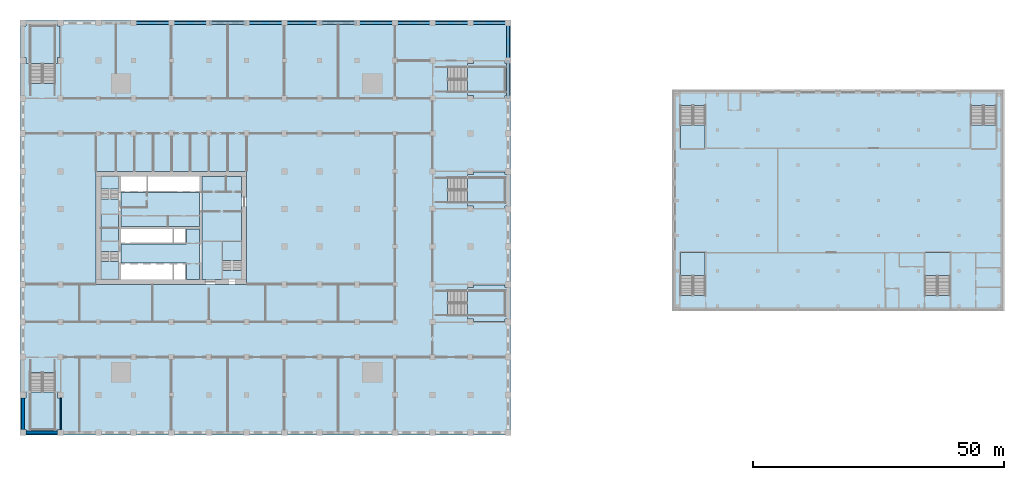
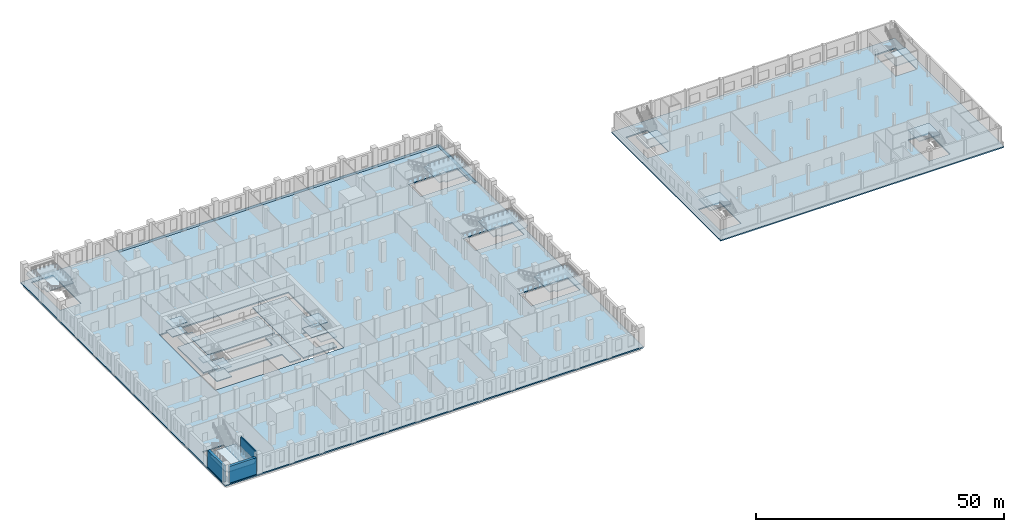
# One storey, part 2 of 32: 24 slabs, 12 beams, 3 walls, 12 elements without a shape of their own.
"""IFC4 building model written with IfcOpenShell, lengths in metres."""

import ifcopenshell
import ifcopenshell.guid

model = None  # the IFC model being written
_history = None  # IfcOwnerHistory: only IFC2X3 demands one
_inside = {}  # id of a spatial element -> (the spatial element, [elements in it])
_under = {}  # id of a project, library or spatial element -> (it, [spatial elements below it])
_declared = {}  # id of a project -> (the project, [libraries it declares])
_typed = {}  # id of a type object -> (the type object, [elements of that type])
_made_of = {}  # id of a material, layer set ... -> (it, [elements and type objects made of it])


def new_model(schema):
    """Start an empty IFC model of exactly this schema.

    Asked for "IFC4X3", IfcOpenShell would pick the latest addendum, in which some entities
    have other attributes; the version numbers below select the first issue.
    IFC2X3 requires an IfcOwnerHistory on every rooted entity: one is made here for all.
    """
    global model, _history
    if schema == "IFC4X3":
        model = ifcopenshell.file(schema_version=(4, 3, 0, 0))
    else:
        model = ifcopenshell.file(schema=schema)
    _inside.clear()
    _under.clear()
    _declared.clear()
    _typed.clear()
    _made_of.clear()
    _history = None
    if model.schema == "IFC2X3":
        org = make("IfcOrganization", Name="unknown")
        user = make(
            "IfcPersonAndOrganization",
            ThePerson=make("IfcPerson", FamilyName="unknown"),
            TheOrganization=org,
        )
        app = make(
            "IfcApplication",
            ApplicationDeveloper=org,
            Version="unknown",
            ApplicationFullName="unknown",
            ApplicationIdentifier="unknown",
        )
        _history = make(
            "IfcOwnerHistory",
            OwningUser=user,
            OwningApplication=app,
            ChangeAction="ADDED",
            CreationDate=0,
        )
    return model


def make(cls, **values):
    """One entity of the class cls with the attributes given. An attribute that is None is left unset."""
    return model.create_entity(
        cls, **{name: value for name, value in values.items() if value is not None}
    )


def rooted(cls, **values):
    """An entity with a GlobalId (a new one), such as an element, a storey or a relation."""
    return make(cls, GlobalId=ifcopenshell.guid.new(), OwnerHistory=_history, **values)


def si_unit(unit_type, name, prefix=None):
    """IfcSIUnit, for example si_unit("LENGTHUNIT", "METRE", prefix="MILLI")."""
    return make("IfcSIUnit", UnitType=unit_type, Prefix=prefix, Name=name)


def assignment(units):
    """IfcUnitAssignment: the units of a project."""
    return None if units is None else make("IfcUnitAssignment", Units=units)


def point(xyz):
    """IfcCartesianPoint."""
    return None if xyz is None else make("IfcCartesianPoint", Coordinates=xyz)


def direction(xyz):
    """IfcDirection."""
    return None if xyz is None else make("IfcDirection", DirectionRatios=xyz)


def frame(location, z_axis=None, x_axis=None):
    """IfcAxis2Placement3D, a coordinate frame: its origin and axes. An axis left out is left unset."""
    return make(
        "IfcAxis2Placement3D",
        Location=point(location),
        Axis=direction(z_axis),
        RefDirection=direction(x_axis),
    )


def frame_2d(location, x_axis=None):
    """IfcAxis2Placement2D, a coordinate frame in the plane: its origin and x axis."""
    return make(
        "IfcAxis2Placement2D", Location=point(location), RefDirection=direction(x_axis)
    )


def origin():
    """The frame at (0, 0, 0) with its axes left unset."""
    return frame((0.0, 0.0, 0.0))


def origin_2d():
    """The frame at (0, 0) in the plane with its x axis left unset."""
    return frame_2d((0.0, 0.0))


def place(relative_to, where):
    """IfcLocalPlacement: puts the frame where relative to a parent placement (None: the world)."""
    return make(
        "IfcLocalPlacement", PlacementRelTo=relative_to, RelativePlacement=where
    )


def context(
    kind, dimensions, precision=None, world=None, true_north=None, identifier=None
):
    """IfcGeometricRepresentationContext, for example the 3D "Model" context."""
    return make(
        "IfcGeometricRepresentationContext",
        ContextIdentifier=identifier,
        ContextType=kind,
        CoordinateSpaceDimension=dimensions,
        Precision=precision,
        WorldCoordinateSystem=world,
        TrueNorth=true_north,
    )


def subcontext(parent, identifier, kind, view, scale=None):
    """IfcGeometricRepresentationSubContext, for example "Body" below "Model"."""
    return make(
        "IfcGeometricRepresentationSubContext",
        ContextIdentifier=identifier,
        ContextType=kind,
        ParentContext=parent,
        TargetScale=scale,
        TargetView=view,
    )


def project(units=None, contexts=None):
    """IfcProject with its units and contexts."""
    return rooted(
        "IfcProject",
        Name="project",
        RepresentationContexts=contexts,
        UnitsInContext=assignment(units),
    )


def spatial(cls, under=None, at=None, **own):
    """A site, building, storey or space (cls), placed at a placement, below another one or the project."""
    s = rooted(cls, ObjectPlacement=at, **own)
    if under is not None:
        _under.setdefault(under.id(), (under, []))[1].append(s)
    return s


def polyline(points):
    """IfcPolyline through the points."""
    return make("IfcPolyline", Points=[point(p) for p in points])


def profile(cls, at=None, kind="AREA", **sizes):
    """A parametric profile (cls). Its sizes go by their IFC names, for example OverallWidth=200.0."""
    return make(cls, ProfileType=kind, Position=at, **sizes)


def rectangle(**sizes):
    """IfcRectangleProfileDef."""
    return profile("IfcRectangleProfileDef", **sizes)


def outline(outer, holes=None, kind="AREA"):
    """IfcArbitraryClosedProfileDef: a profile drawn as a closed curve; with holes, ...WithVoids."""
    if holes is None:
        return make("IfcArbitraryClosedProfileDef", ProfileType=kind, OuterCurve=outer)
    return make(
        "IfcArbitraryProfileDefWithVoids",
        ProfileType=kind,
        OuterCurve=outer,
        InnerCurves=holes,
    )


def extrude(swept, where, along, depth):
    """IfcExtrudedAreaSolid: the profile swept, set in the frame where, extruded along a direction by depth."""
    return make(
        "IfcExtrudedAreaSolid",
        SweptArea=swept,
        Position=where,
        ExtrudedDirection=direction(along),
        Depth=depth,
    )


def shape(context_of_items, identifier, shape_type, items):
    """IfcShapeRepresentation: the items that make up one representation, for example the "Body"."""
    return make(
        "IfcShapeRepresentation",
        ContextOfItems=context_of_items,
        RepresentationIdentifier=identifier,
        RepresentationType=shape_type,
        Items=items,
    )


def material(Name=None, Category=None):
    """IfcMaterial."""
    return make("IfcMaterial", Name=Name, Category=Category)


def layer(
    of_material, thickness, ventilated=None, Name=None, Category=None, Priority=None
):
    """IfcMaterialLayer: one layer of a wall or slab, of a material (None: an air gap)."""
    return make(
        "IfcMaterialLayer",
        Material=of_material,
        LayerThickness=thickness,
        IsVentilated=ventilated,
        Name=Name,
        Category=Category,
        Priority=Priority,
    )


def layer_set(layers, Name=None):
    """IfcMaterialLayerSet."""
    return make("IfcMaterialLayerSet", MaterialLayers=layers, LayerSetName=Name)


def material_profile(
    of_material, cross_section, Name=None, Category=None, Priority=None
):
    """IfcMaterialProfile: a cross section and its material."""
    return make(
        "IfcMaterialProfile",
        Name=Name,
        Material=of_material,
        Profile=cross_section,
        Priority=Priority,
        Category=Category,
    )


def profile_set(profiles, Name=None, composite=None):
    """IfcMaterialProfileSet."""
    return make(
        "IfcMaterialProfileSet",
        Name=Name,
        MaterialProfiles=profiles,
        CompositeProfile=composite,
    )


def made_of(thing, what):
    """Note that an element or type object is made of a material, layer set ...; save() writes the relation."""
    if what is not None:
        _made_of.setdefault(what.id(), (what, []))[1].append(thing)
    return thing


def type_object(cls, material=None, **own):
    """A type object (cls), such as IfcWallType, which elements share."""
    return made_of(rooted(cls, **own), material)


def element(
    cls,
    number,
    at=None,
    inside=None,
    cuts=None,
    type_object=None,
    material=None,
    context=None,
    identifier="Body",
    shape_type=None,
    held_by="IfcProductDefinitionShape",
    body=None,
    shapes=None,
    **own,
):
    """One element of the class cls, such as IfcWall. Its Tag is "e" and its number.

    at: its placement. inside: the storey or other place that contains it. cuts: it is an
    opening in that element (IfcRelVoidsElement). A single representation is given by context,
    identifier, shape_type and body (its items); several are given by shapes. held_by: the class
    of the entity that holds the representations. save() writes the other relations.
    """
    e = rooted(cls, Tag="e%d" % number, ObjectPlacement=at, **own)
    if body is not None:
        shapes = [shape(context, identifier, shape_type, body)]
    if shapes is not None:
        e.Representation = make(held_by, Representations=shapes)
    if inside is not None:
        _inside.setdefault(inside.id(), (inside, []))[1].append(e)
    if cuts is not None:
        rooted(
            "IfcRelVoidsElement", RelatingBuildingElement=cuts, RelatedOpeningElement=e
        )
    if type_object is not None:
        _typed.setdefault(type_object.id(), (type_object, []))[1].append(e)
    return made_of(e, material)


def aggregate(whole, parts):
    """IfcRelAggregates: a whole, such as a stair, and the parts it consists of."""
    return rooted("IfcRelAggregates", RelatingObject=whole, RelatedObjects=parts)


def save(model, path):
    """Write the relations noted so far, then the file.

    IfcRelAggregates (storeys below a building ...), IfcRelContainedInSpatialStructure (elements
    in a storey), IfcRelDefinesByType, IfcRelAssociatesMaterial and IfcRelDeclares: one each for
    every whole, place, type object, material and project.
    """
    for whole, parts in _under.values():
        aggregate(whole, parts)
    for where, things in _inside.values():
        rooted(
            "IfcRelContainedInSpatialStructure",
            RelatedElements=things,
            RelatingStructure=where,
        )
    for kind, things in _typed.values():
        rooted("IfcRelDefinesByType", RelatedObjects=things, RelatingType=kind)
    for what, things in _made_of.values():
        rooted("IfcRelAssociatesMaterial", RelatedObjects=things, RelatingMaterial=what)
    for by, libraries in _declared.values():
        rooted("IfcRelDeclares", RelatingContext=by, RelatedDefinitions=libraries)
    model.write(path)


model = new_model("IFC4")

# Units and contexts
model_context = context("Model", 3, precision=1e-05, world=origin(), true_north=direction((0.0, 1.0)))
body_context = subcontext(model_context, "Body", "Model", "MODEL_VIEW")
ifc_project = project(units=[si_unit("LENGTHUNIT", "METRE"), si_unit("AREAUNIT", "SQUARE_METRE"), si_unit("VOLUMEUNIT", "CUBIC_METRE"), si_unit("PLANEANGLEUNIT", "RADIAN"), si_unit("MASSUNIT", "GRAM", prefix="KILO")], contexts=[model_context])

# Site, building, storey
site_placement = place(None, origin())
site = spatial("IfcSite", under=ifc_project, at=site_placement, CompositionType="ELEMENT")
building_placement = place(site_placement, origin())
building = spatial("IfcBuilding", under=site, at=building_placement, Name="Tamorin Gate", CompositionType="ELEMENT")
storey_placement = place(building_placement, frame((0.0, 0.0, 18.5)))
storey = spatial("IfcBuildingStorey", under=building, at=storey_placement, Name="L03", CompositionType="ELEMENT", Elevation=18.5)

# Beams
ifc_material_1 = material(Name="Concrete C50/60", Category="concrete")
ifc_material_profile = material_profile(ifc_material_1, rectangle(XDim=0.60009765625, YDim=0.89990234375, at=origin_2d()), Name="RC 600x900")
ifc_profile_set = profile_set([ifc_material_profile], Name="Concrete C50/60")
beam_type = type_object("IfcBeamType", Name="RC spandrel 600x900 C50/60", PredefinedType="BEAM", material=ifc_profile_set)
for number, where, z_axis, x_axis, name in (
    (1, (112.0, 97.0, -0.449951171875), (0.0, 1.0, 0.0), (-1.0, 0.0, 0.0), "Spandrel beam L03"),
    (2, (112.0, 104.5, -0.449951171875), (0.0, 1.0, 0.0), (-1.0, 0.0, 0.0), "Spandrel beam L03"),
    (3, (112.0, 112.0, -0.449951171875), (-1.0, 0.0, 0.0), (0.0, -1.0, 0.0), "Spandrel beam L03"),
    (4, (104.5, 112.0, -0.449951171875), (-1.0, 0.0, 0.0), (0.0, -1.0, 0.0), "Spandrel beam L03"),
    (5, (97.0, 112.0, -0.449951171875), (-1.0, 0.0, 0.0), (0.0, -1.0, 0.0), "Spandrel beam L03"),
    (6, (89.5, 112.0, -0.449951171875), (-1.0, 0.0, 0.0), (0.0, -1.0, 0.0), "Spandrel beam L03"),
    (7, (82.0, 112.0, -0.449951171875), (-1.0, 0.0, 0.0), (0.0, -1.0, 0.0), "Spandrel beam L03"),
):
    element("IfcBeam", number, at=place(storey_placement, frame(where, z_axis=z_axis, x_axis=x_axis)), inside=storey, type_object=beam_type, Name=name, PredefinedType="BEAM", context=body_context, shape_type="SweptSolid", body=[
        extrude(rectangle(XDim=0.60009765625, YDim=0.89990234375, at=origin_2d()), origin(), (0.0, 0.0, 1.0), 7.5),
    ])
beam_placement = place(storey_placement, frame((74.5, 112.0, -0.449951171875), z_axis=(-1.0, 0.0, 0.0), x_axis=(0.0, -1.0, 0.0)))
element("IfcBeam", 8, at=beam_placement, inside=storey, type_object=beam_type, Name="Spandrel beam L03", PredefinedType="BEAM", context=body_context, shape_type="SweptSolid", body=[
    extrude(rectangle(XDim=0.60009765625, YDim=0.89990234375, at=origin_2d()), origin(), (0.0, 0.0, 1.0), 7.0),
])
for number, where, z_axis, x_axis, name in (
    (9, (67.5, 112.0, -0.449951171875), (-1.0, 0.0, 0.0), (0.0, -1.0, 0.0), "Spandrel beam L03"),
    (10, (60.0, 112.0, -0.449951171875), (-1.0, 0.0, 0.0), (0.0, -1.0, 0.0), "Spandrel beam L03"),
    (11, (52.5, 112.0, -0.449951171875), (-1.0, 0.0, 0.0), (0.0, -1.0, 0.0), "Spandrel beam L03"),
    (12, (45.0, 112.0, -0.449951171875), (-1.0, 0.0, 0.0), (0.0, -1.0, 0.0), "Spandrel beam L03"),
):
    element("IfcBeam", number, at=place(storey_placement, frame(where, z_axis=z_axis, x_axis=x_axis)), inside=storey, type_object=beam_type, Name=name, PredefinedType="BEAM", context=body_context, shape_type="SweptSolid", body=[
        extrude(rectangle(XDim=0.60009765625, YDim=0.89990234375, at=origin_2d()), origin(), (0.0, 0.0, 1.0), 7.5),
    ])

# Slabs
ifc_material_2 = material(Name="Concrete C40/50", Category="concrete")
ifc_layer_1 = layer(ifc_material_2, 0.300048828125)
ifc_layer_set_1 = layer_set([ifc_layer_1], Name="Core floor slab 300 C40/50")
slab_type_1 = type_object("IfcSlabType", Name="Core floor slab 300 C40/50", PredefinedType="FLOOR", material=ifc_layer_set_1)
slab_1_placement = place(storey_placement, frame((0.0, 0.0, -0.300048828125)))
element("IfcSlab", 13, at=slab_1_placement, inside=storey, type_object=slab_type_1, Name="Core floor L03", PredefinedType="FLOOR", context=body_context, shape_type="SweptSolid", body=[
    extrude(outline(polyline([(59.0, 62.800048828125), (59.0, 61.0), (51.10009765625, 61.0), (51.10009765625, 81.5), (59.0, 81.5), (59.0, 68.5), (55.199951171875, 68.5), (55.199951171875, 62.800048828125), (59.0, 62.800048828125)])), origin(), (0.0, 0.0, 1.0), 0.300048828125),
])
slab_2_placement = place(storey_placement, frame((0.0, 0.0, -0.300048828125)))
element("IfcSlab", 14, at=slab_2_placement, inside=storey, type_object=slab_type_1, Name="Core floor L03", PredefinedType="FLOOR", context=body_context, shape_type="SweptSolid", body=[
    extrude(outline(polyline([(50.60009765625, 61.0), (48.0, 61.0), (48.0, 64.199951171875), (35.0, 64.199951171875), (35.0, 68.050048828125), (48.0, 68.050048828125), (48.0, 71.0), (50.60009765625, 71.0), (50.60009765625, 61.0)])), origin(), (0.0, 0.0, 1.0), 0.300048828125),
])
slab_3_placement = place(storey_placement, frame((0.0, 0.0, -0.300048828125)))
element("IfcSlab", 15, at=slab_3_placement, inside=storey, type_object=slab_type_1, Name="Core floor L03", PredefinedType="FLOOR", context=body_context, shape_type="SweptSolid", body=[
    extrude(outline(polyline([(50.60009765625, 71.5), (35.0, 71.5), (35.0, 78.300048828125), (50.60009765625, 78.300048828125), (50.60009765625, 71.5)])), origin(), (0.0, 0.0, 1.0), 0.300048828125),
])
slab_4_placement = place(storey_placement, frame((0.0, 0.0, -0.300048828125)))
element("IfcSlab", 16, at=slab_4_placement, inside=storey, type_object=slab_type_1, Name="Core floor L03", PredefinedType="FLOOR", context=body_context, shape_type="SweptSolid", body=[
    extrude(outline(polyline([(31.0, 66.5), (31.0, 77.0), (34.5, 77.0), (34.5, 66.5), (31.0, 66.5)])), origin(), (0.0, 0.0, 1.0), 0.300048828125),
])

# Stair, slabs
stair_type_1 = type_object("IfcStairType", Name="Exit stair", PredefinedType="HALF_TURN_STAIR", material=ifc_material_2)
stair_1_placement = place(storey_placement, origin())
stair_1 = element("IfcStair", 17, at=stair_1_placement, inside=storey, type_object=stair_type_1, Name="L03 stair ST1", PredefinedType="HALF_TURN_STAIR")
ifc_layer_2 = layer(ifc_material_2, 0.199951171875)
ifc_layer_set_2 = layer_set([ifc_layer_2], Name="Exit stair landing 200")
slab_type_2 = type_object("IfcSlabType", Name="Exit stair landing 200", PredefinedType="LANDING", material=ifc_layer_set_2)
slab_5_placement = place(storey_placement, frame((0.0, 0.0, 1.050048828125)))
slab_5 = element("IfcSlab", 18, at=slab_5_placement, type_object=slab_type_2, Name="ST1 landing 1", PredefinedType="LANDING", context=body_context, shape_type="SweptSolid", body=[
    extrude(outline(polyline([(31.0, 64.5400390625), (31.0, 61.0), (34.5, 61.0), (34.5, 64.5400390625), (31.0, 64.5400390625)])), origin(), (0.0, 0.0, 1.0), 0.199951171875),
])
slab_6_placement = place(storey_placement, frame((0.0, 0.0, 2.300048828125)))
slab_6 = element("IfcSlab", 19, at=slab_6_placement, type_object=slab_type_2, Name="ST1 landing 2", PredefinedType="LANDING", context=body_context, shape_type="SweptSolid", body=[
    extrude(outline(polyline([(31.0, 68.5), (31.0, 66.5), (34.5, 66.5), (34.5, 68.5), (31.0, 68.5)])), origin(), (0.0, 0.0, 1.0), 0.199951171875),
])
slab_7_placement = place(storey_placement, frame((0.0, 0.0, 3.550048828125)))
slab_7 = element("IfcSlab", 20, at=slab_7_placement, type_object=slab_type_2, Name="ST1 landing 3", PredefinedType="LANDING", context=body_context, shape_type="SweptSolid", body=[
    extrude(outline(polyline([(31.0, 64.5400390625), (31.0, 61.0), (34.5, 61.0), (34.5, 64.5400390625), (31.0, 64.5400390625)])), origin(), (0.0, 0.0, 1.0), 0.199951171875),
])
aggregate(stair_1, [slab_5, slab_6, slab_7])

stair_2_placement = place(storey_placement, origin())
stair_2 = element("IfcStair", 21, at=stair_2_placement, inside=storey, type_object=stair_type_1, Name="L03 stair ST2", PredefinedType="HALF_TURN_STAIR")
slab_8_placement = place(storey_placement, frame((0.0, 0.0, 1.050048828125)))
slab_8 = element("IfcSlab", 22, at=slab_8_placement, type_object=slab_type_2, Name="ST2 landing 1", PredefinedType="LANDING", context=body_context, shape_type="SweptSolid", body=[
    extrude(outline(polyline([(34.5, 78.9599609375), (34.5, 81.5), (31.0, 81.5), (31.0, 78.9599609375), (34.5, 78.9599609375)])), origin(), (0.0, 0.0, 1.0), 0.199951171875),
])
slab_9_placement = place(storey_placement, frame((0.0, 0.0, 2.300048828125)))
slab_9 = element("IfcSlab", 23, at=slab_9_placement, type_object=slab_type_2, Name="ST2 landing 2", PredefinedType="LANDING", context=body_context, shape_type="SweptSolid", body=[
    extrude(outline(polyline([(34.5, 74.0), (34.5, 77.0), (31.0, 77.0), (31.0, 74.0), (34.5, 74.0)])), origin(), (0.0, 0.0, 1.0), 0.199951171875),
])
slab_10_placement = place(storey_placement, frame((0.0, 0.0, 3.550048828125)))
slab_10 = element("IfcSlab", 24, at=slab_10_placement, type_object=slab_type_2, Name="ST2 landing 3", PredefinedType="LANDING", context=body_context, shape_type="SweptSolid", body=[
    extrude(outline(polyline([(34.5, 78.9599609375), (34.5, 81.5), (31.0, 81.5), (31.0, 78.9599609375), (34.5, 78.9599609375)])), origin(), (0.0, 0.0, 1.0), 0.199951171875),
])
aggregate(stair_2, [slab_8, slab_9, slab_10])

stair_3_placement = place(storey_placement, origin())
stair_3 = element("IfcStair", 25, at=stair_3_placement, inside=storey, type_object=stair_type_1, Name="L03 stair ST3", PredefinedType="HALF_TURN_STAIR")
slab_11_placement = place(storey_placement, frame((0.0, 0.0, 1.050048828125)))
slab_11 = element("IfcSlab", 26, at=slab_11_placement, type_object=slab_type_2, Name="ST3 landing 1", PredefinedType="LANDING", context=body_context, shape_type="SweptSolid", body=[
    extrude(outline(polyline([(59.0, 64.760009765625), (59.0, 68.5), (55.199951171875, 68.5), (55.199951171875, 64.760009765625), (59.0, 64.760009765625)])), origin(), (0.0, 0.0, 1.0), 0.199951171875),
])
slab_12_placement = place(storey_placement, frame((0.0, 0.0, 2.300048828125)))
slab_12 = element("IfcSlab", 27, at=slab_12_placement, type_object=slab_type_2, Name="ST3 landing 2", PredefinedType="LANDING", context=body_context, shape_type="SweptSolid", body=[
    extrude(outline(polyline([(59.0, 61.0), (59.0, 62.800048828125), (55.199951171875, 62.800048828125), (55.199951171875, 61.0), (59.0, 61.0)])), origin(), (0.0, 0.0, 1.0), 0.199951171875),
])
slab_13_placement = place(storey_placement, frame((0.0, 0.0, 3.550048828125)))
slab_13 = element("IfcSlab", 28, at=slab_13_placement, type_object=slab_type_2, Name="ST3 landing 3", PredefinedType="LANDING", context=body_context, shape_type="SweptSolid", body=[
    extrude(outline(polyline([(59.0, 64.760009765625), (59.0, 68.5), (55.199951171875, 68.5), (55.199951171875, 64.760009765625), (59.0, 64.760009765625)])), origin(), (0.0, 0.0, 1.0), 0.199951171875),
])
aggregate(stair_3, [slab_11, slab_12, slab_13])

# Slab
ifc_layer_3 = layer(ifc_material_2, 0.300048828125)
ifc_layer_set_3 = layer_set([ifc_layer_3], Name="Museum floor slab 300 C40/50")
slab_type_3 = type_object("IfcSlabType", Name="Museum floor slab 300 C40/50", PredefinedType="FLOOR", material=ifc_layer_set_3)
slab_14_placement = place(storey_placement, frame((0.0, 0.0, -0.300048828125)))
element("IfcSlab", 29, at=slab_14_placement, inside=storey, type_object=slab_type_3, Name="Museum floor slab", PredefinedType="FLOOR", context=body_context, shape_type="SweptSolid", body=[
    extrude(outline(polyline([(144.699951171875, 54.699951171875), (144.699951171875, 98.699951171875), (210.699951171875, 98.699951171875), (210.699951171875, 54.699951171875), (144.699951171875, 54.699951171875)]), holes=[polyline([(146.300537109375, 57.800537109375), (151.24951171875, 57.800537109375), (151.24951171875, 66.359375), (146.300537109375, 66.359375), (146.300537109375, 57.800537109375)]), polyline([(195.00048828125, 57.800537109375), (199.949462890625, 57.800537109375), (199.949462890625, 66.359375), (195.00048828125, 66.359375), (195.00048828125, 57.800537109375)]), polyline([(151.24951171875, 95.599365234375), (146.300537109375, 95.599365234375), (146.300537109375, 87.04052734375), (151.24951171875, 87.04052734375), (151.24951171875, 95.599365234375)]), polyline([(209.099365234375, 95.599365234375), (204.150634765625, 95.599365234375), (204.150634765625, 87.04052734375), (209.099365234375, 87.04052734375), (209.099365234375, 95.599365234375)])]), origin(), (0.0, 0.0, 1.0), 0.300048828125),
])

# Stair, slab
stair_type_2 = type_object("IfcStairType", Name="Museum exit stair 2400 C40/50", PredefinedType="HALF_TURN_STAIR", material=ifc_material_2)
stair_4_placement = place(storey_placement, origin())
stair_4 = element("IfcStair", 30, at=stair_4_placement, inside=storey, type_object=stair_type_2, Name="L03 PS6", PredefinedType="HALF_TURN_STAIR")
ifc_layer_4 = layer(ifc_material_2, 0.199951171875)
ifc_layer_set_4 = layer_set([ifc_layer_4], Name="Museum stair landing slab 200 C40/50")
slab_type_4 = type_object("IfcSlabType", Name="Museum stair landing slab 200 C40/50", PredefinedType="LANDING", material=ifc_layer_set_4)
slab_15_placement = place(storey_placement, frame((0.0, 0.0, 2.300048828125)))
slab_15 = element("IfcSlab", 31, at=slab_15_placement, type_object=slab_type_4, Name="PS6 landing 1", PredefinedType="LANDING", context=body_context, shape_type="SweptSolid", body=[
    extrude(outline(polyline([(146.300048828125, 91.679931640625), (146.300048828125, 87.0400390625), (151.25, 87.0400390625), (151.25, 91.679931640625), (146.300048828125, 91.679931640625)])), origin(), (0.0, 0.0, 1.0), 0.199951171875),
])
aggregate(stair_4, [slab_15])

stair_5_placement = place(storey_placement, origin())
stair_5 = element("IfcStair", 32, at=stair_5_placement, inside=storey, type_object=stair_type_2, Name="L03 PS7", PredefinedType="HALF_TURN_STAIR")
slab_16_placement = place(storey_placement, frame((0.0, 0.0, 2.300048828125)))
slab_16 = element("IfcSlab", 33, at=slab_16_placement, type_object=slab_type_4, Name="PS7 landing 1", PredefinedType="LANDING", context=body_context, shape_type="SweptSolid", body=[
    extrude(outline(polyline([(199.949951171875, 61.719970703125), (199.949951171875, 66.360107421875), (195.0, 66.360107421875), (195.0, 61.719970703125), (199.949951171875, 61.719970703125)])), origin(), (0.0, 0.0, 1.0), 0.199951171875),
])
aggregate(stair_5, [slab_16])

stair_6_placement = place(storey_placement, origin())
stair_6 = element("IfcStair", 34, at=stair_6_placement, inside=storey, type_object=stair_type_2, Name="L03 PS8", PredefinedType="HALF_TURN_STAIR")
slab_17_placement = place(storey_placement, frame((0.0, 0.0, 2.300048828125)))
slab_17 = element("IfcSlab", 35, at=slab_17_placement, type_object=slab_type_4, Name="PS8 landing 1", PredefinedType="LANDING", context=body_context, shape_type="SweptSolid", body=[
    extrude(outline(polyline([(151.25, 61.719970703125), (151.25, 66.360107421875), (146.300048828125, 66.360107421875), (146.300048828125, 61.719970703125), (151.25, 61.719970703125)])), origin(), (0.0, 0.0, 1.0), 0.199951171875),
])
aggregate(stair_6, [slab_17])

stair_7_placement = place(storey_placement, origin())
stair_7 = element("IfcStair", 36, at=stair_7_placement, inside=storey, type_object=stair_type_2, Name="L03 PS9", PredefinedType="HALF_TURN_STAIR")
slab_18_placement = place(storey_placement, frame((0.0, 0.0, 2.300048828125)))
slab_18 = element("IfcSlab", 37, at=slab_18_placement, type_object=slab_type_4, Name="PS9 landing 1", PredefinedType="LANDING", context=body_context, shape_type="SweptSolid", body=[
    extrude(outline(polyline([(204.14990234375, 91.679931640625), (204.14990234375, 87.0400390625), (209.10009765625, 87.0400390625), (209.10009765625, 91.679931640625), (204.14990234375, 91.679931640625)])), origin(), (0.0, 0.0, 1.0), 0.199951171875),
])
aggregate(stair_7, [slab_18])

# Slab
ifc_material_3 = material(Name="Concrete C45/55", Category="concrete")
ifc_layer_5 = layer(ifc_material_3, 0.300048828125)
ifc_layer_set_5 = layer_set([ifc_layer_5], Name="Podium slab 300 C45/55")
slab_type_5 = type_object("IfcSlabType", Name="Podium slab 300 C45/55", PredefinedType="FLOOR", material=ifc_layer_set_5)
slab_19_placement = place(storey_placement, frame((0.0, 0.0, -0.300048828125)))
element("IfcSlab", 38, at=slab_19_placement, inside=storey, type_object=slab_type_5, Name="Podium L03", PredefinedType="FLOOR", context=body_context, shape_type="SweptSolid", body=[
    extrude(outline(polyline([(15.0, 30.0), (112.5, 30.0), (112.5, 112.5), (15.0, 112.5), (15.0, 30.0)]), holes=[polyline([(60.0, 60.0), (60.0, 82.5), (30.0, 82.5), (30.0, 60.0), (60.0, 60.0)]), polyline([(16.925537109375, 42.49951171875), (21.87451171875, 42.49951171875), (21.87451171875, 31.1005859375), (16.925537109375, 31.1005859375), (16.925537109375, 42.49951171875)]), polyline([(21.87451171875, 100.00048828125), (16.925537109375, 100.00048828125), (16.925537109375, 111.3994140625), (21.87451171875, 111.3994140625), (21.87451171875, 100.00048828125)]), polyline([(100.00048828125, 53.775390625), (100.00048828125, 58.724609375), (111.3994140625, 58.724609375), (111.3994140625, 53.775390625), (100.00048828125, 53.775390625)]), polyline([(100.00048828125, 98.275390625), (100.00048828125, 103.224609375), (111.3994140625, 103.224609375), (111.3994140625, 98.275390625), (100.00048828125, 98.275390625)]), polyline([(100.00048828125, 76.275390625), (100.00048828125, 81.224609375), (111.3994140625, 81.224609375), (111.3994140625, 76.275390625), (100.00048828125, 76.275390625)])]), origin(), (0.0, 0.0, 1.0), 0.300048828125),
])

# Stair, slab
ifc_material_4 = material(Name="Reinforced concrete C32/40", Category="concrete")
stair_type_3 = type_object("IfcStairType", Name="Podium stair PS", PredefinedType="HALF_TURN_STAIR", material=ifc_material_4)
stair_8_placement = place(storey_placement, origin())
stair_8 = element("IfcStair", 39, at=stair_8_placement, inside=storey, type_object=stair_type_3, Name="L03 Podium stair PS1", PredefinedType="HALF_TURN_STAIR")
ifc_layer_6 = layer(ifc_material_4, 0.199951171875)
ifc_layer_set_6 = layer_set([ifc_layer_6], Name="Stair landing 200")
slab_type_6 = type_object("IfcSlabType", Name="Stair landing 200", PredefinedType="LANDING", material=ifc_layer_set_6)
slab_20_placement = place(storey_placement, frame((0.0, 0.0, 2.300048828125)))
slab_20 = element("IfcSlab", 40, at=slab_20_placement, type_object=slab_type_6, Name="PS1 landing 1", PredefinedType="LANDING", context=body_context, shape_type="SweptSolid", body=[
    extrude(outline(polyline([(22.39990234375, 31.10009765625), (22.39990234375, 30.64990234375), (16.10009765625, 30.64990234375), (16.10009765625, 31.10009765625), (15.64990234375, 31.10009765625), (15.64990234375, 37.39990234375), (16.10009765625, 37.39990234375), (16.10009765625, 38.580078125), (22.39990234375, 38.580078125), (22.39990234375, 37.39990234375), (22.89990234375, 37.39990234375), (22.89990234375, 31.10009765625), (22.39990234375, 31.10009765625)])), origin(), (0.0, 0.0, 1.0), 0.199951171875),
])
aggregate(stair_8, [slab_20])

stair_9_placement = place(storey_placement, origin())
stair_9 = element("IfcStair", 41, at=stair_9_placement, inside=storey, type_object=stair_type_3, Name="L03 Podium stair PS2", PredefinedType="HALF_TURN_STAIR")
slab_21_placement = place(storey_placement, frame((0.0, 0.0, 2.300048828125)))
slab_21 = element("IfcSlab", 42, at=slab_21_placement, type_object=slab_type_6, Name="PS2 landing 1", PredefinedType="LANDING", context=body_context, shape_type="SweptSolid", body=[
    extrude(outline(polyline([(22.39990234375, 105.10009765625), (22.39990234375, 103.919921875), (16.10009765625, 103.919921875), (16.10009765625, 105.10009765625), (15.64990234375, 105.10009765625), (15.64990234375, 111.39990234375), (16.10009765625, 111.39990234375), (16.10009765625, 111.85009765625), (22.39990234375, 111.85009765625), (22.39990234375, 111.39990234375), (22.89990234375, 111.39990234375), (22.89990234375, 105.10009765625), (22.39990234375, 105.10009765625)])), origin(), (0.0, 0.0, 1.0), 0.199951171875),
])
aggregate(stair_9, [slab_21])

stair_10_placement = place(storey_placement, origin())
stair_10 = element("IfcStair", 43, at=stair_10_placement, inside=storey, type_object=stair_type_3, Name="L03 Podium stair PS3", PredefinedType="HALF_TURN_STAIR")
slab_22_placement = place(storey_placement, frame((0.0, 0.0, 2.300048828125)))
slab_22 = element("IfcSlab", 44, at=slab_22_placement, type_object=slab_type_6, Name="PS3 landing 1", PredefinedType="LANDING", context=body_context, shape_type="SweptSolid", body=[
    extrude(outline(polyline([(111.39990234375, 53.10009765625), (111.39990234375, 52.60009765625), (105.10009765625, 52.60009765625), (105.10009765625, 53.10009765625), (103.919921875, 53.10009765625), (103.919921875, 59.39990234375), (105.10009765625, 59.39990234375), (105.10009765625, 59.89990234375), (111.39990234375, 59.89990234375), (111.39990234375, 59.39990234375), (111.85009765625, 59.39990234375), (111.85009765625, 53.10009765625), (111.39990234375, 53.10009765625)])), origin(), (0.0, 0.0, 1.0), 0.199951171875),
])
aggregate(stair_10, [slab_22])

stair_11_placement = place(storey_placement, origin())
stair_11 = element("IfcStair", 45, at=stair_11_placement, inside=storey, type_object=stair_type_3, Name="L03 Podium stair PS4", PredefinedType="HALF_TURN_STAIR")
slab_23_placement = place(storey_placement, frame((0.0, 0.0, 2.300048828125)))
slab_23 = element("IfcSlab", 46, at=slab_23_placement, type_object=slab_type_6, Name="PS4 landing 1", PredefinedType="LANDING", context=body_context, shape_type="SweptSolid", body=[
    extrude(outline(polyline([(111.39990234375, 97.60009765625), (111.39990234375, 97.10009765625), (105.10009765625, 97.10009765625), (105.10009765625, 97.60009765625), (103.919921875, 97.60009765625), (103.919921875, 103.89990234375), (105.10009765625, 103.89990234375), (105.10009765625, 104.39990234375), (111.39990234375, 104.39990234375), (111.39990234375, 103.89990234375), (111.85009765625, 103.89990234375), (111.85009765625, 97.60009765625), (111.39990234375, 97.60009765625)])), origin(), (0.0, 0.0, 1.0), 0.199951171875),
])
aggregate(stair_11, [slab_23])

stair_12_placement = place(storey_placement, origin())
stair_12 = element("IfcStair", 47, at=stair_12_placement, inside=storey, type_object=stair_type_3, Name="L03 Podium stair PS5", PredefinedType="HALF_TURN_STAIR")
slab_24_placement = place(storey_placement, frame((0.0, 0.0, 2.300048828125)))
slab_24 = element("IfcSlab", 48, at=slab_24_placement, type_object=slab_type_6, Name="PS5 landing 1", PredefinedType="LANDING", context=body_context, shape_type="SweptSolid", body=[
    extrude(outline(polyline([(111.39990234375, 75.60009765625), (111.39990234375, 75.10009765625), (105.10009765625, 75.10009765625), (105.10009765625, 75.60009765625), (103.919921875, 75.60009765625), (103.919921875, 81.89990234375), (105.10009765625, 81.89990234375), (105.10009765625, 82.39990234375), (111.39990234375, 82.39990234375), (111.39990234375, 81.89990234375), (111.85009765625, 81.89990234375), (111.85009765625, 75.60009765625), (111.39990234375, 75.60009765625)])), origin(), (0.0, 0.0, 1.0), 0.199951171875),
])
aggregate(stair_12, [slab_24])

# Walls
ifc_material_5 = material(Name="Precast concrete C40/50", Category="concrete")
ifc_layer_7 = layer(ifc_material_5, 0.60009765625)
ifc_layer_set_7 = layer_set([ifc_layer_7], Name="Precast concrete C40/50")
wall_type_1 = type_object("IfcWallType", Name="Precast plinth wall 600", PredefinedType="PARTITIONING", material=ifc_layer_set_7)
for number, where, z_axis, x_axis, name in (
    (49, (16.10009765625, 30.5, 0.0), (0.0, 0.0, 1.0), (1.0, 0.0, 0.0), "Precast plinth wall 600 L03"),
    (50, (15.5, 31.10009765625, 0.0), (0.0, 0.0, 1.0), (0.0, 1.0, 0.0), "Precast plinth wall 600 L03"),
):
    element("IfcWall", number, at=place(storey_placement, frame(where, z_axis=z_axis, x_axis=x_axis)), inside=storey, type_object=wall_type_1, Name=name, PredefinedType="PARTITIONING", context=body_context, shape_type="SweptSolid", body=[
        extrude(rectangle(XDim=6.2998046875, YDim=0.60009765625, at=frame_2d((3.14990234375, 0.0))), origin(), (0.0, 0.0, 1.0), 4.10009765625),
    ])
ifc_layer_8 = layer(ifc_material_2, 0.199951171875)
ifc_layer_set_8 = layer_set([ifc_layer_8], Name="Stair enclosure 200")
wall_type_2 = type_object("IfcWallType", Name="Stair enclosure 200", PredefinedType="SHEAR", material=ifc_layer_set_8)
wall_placement = place(storey_placement, frame((23.0, 31.10009765625, 0.0), z_axis=(0.0, 0.0, 1.0), x_axis=(0.0, 1.0, 0.0)))
element("IfcWall", 51, at=wall_placement, inside=storey, type_object=wall_type_2, Name="Stair enclosure 200 L03", PredefinedType="SHEAR", context=body_context, shape_type="SweptSolid", body=[
    extrude(rectangle(XDim=6.2998046875, YDim=0.199951171875, at=frame_2d((3.14990234375, 0.0))), origin(), (0.0, 0.0, 1.0), 4.699951171875),
])

save(model, "model.ifc")
